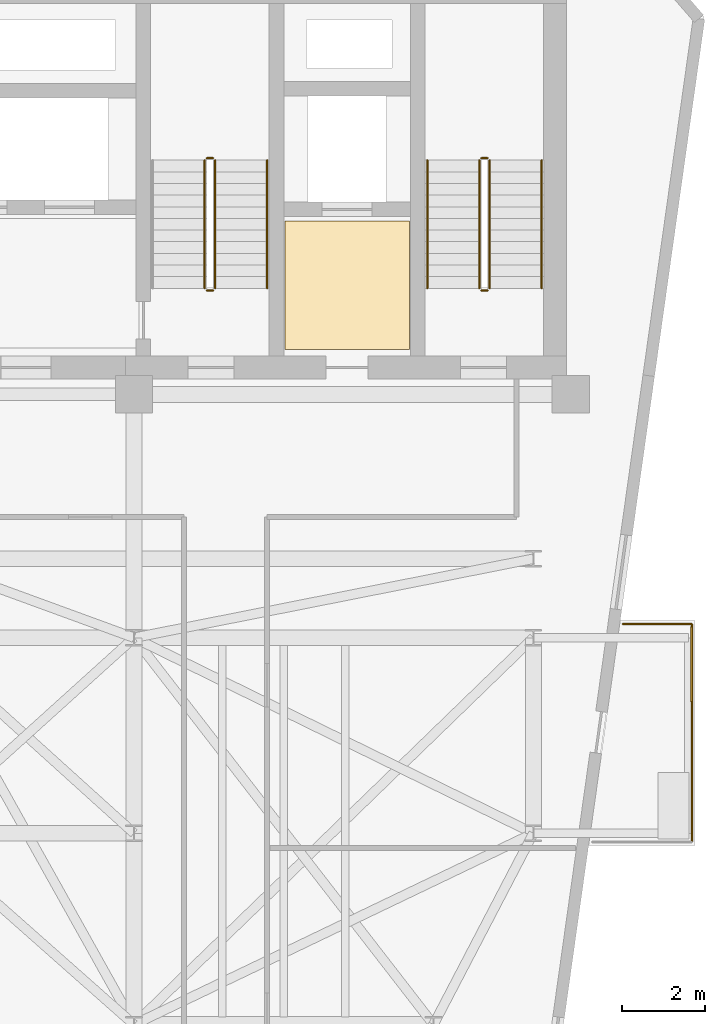
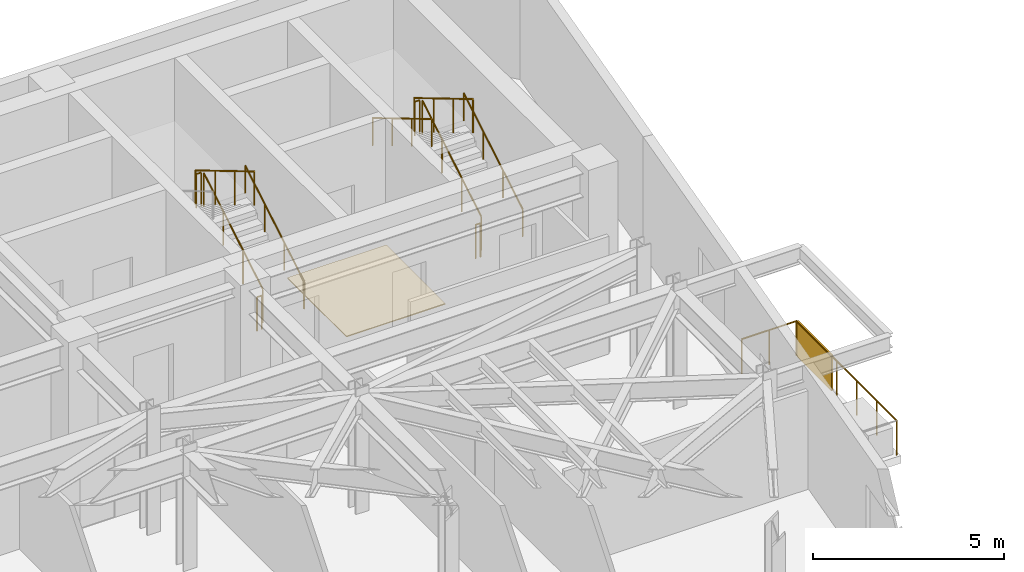
# One storey, part 27 of 27: 13 railings, 1 covering, 1 shading device.
"""IFC4 building model written with IfcOpenShell, lengths in metres."""

from ifc_helpers import new_model, si_unit, direction, frame, origin, origin_2d, place, context, subcontext, project, spatial, polyline, rectangle, circle, outline, extrude, material, layer, layer_set, type_object, element, save


model = new_model("IFC4")

# Units and contexts
model_context = context("Model", 3, precision=1e-05, world=origin(), true_north=direction((0.0, 1.0)))
body_context = subcontext(model_context, "Body", "Model", "MODEL_VIEW")
ifc_project = project(units=[si_unit("LENGTHUNIT", "METRE"), si_unit("AREAUNIT", "SQUARE_METRE"), si_unit("VOLUMEUNIT", "CUBIC_METRE"), si_unit("PLANEANGLEUNIT", "RADIAN"), si_unit("MASSUNIT", "GRAM", prefix="KILO")], contexts=[model_context])

# Site, building, storey
site_placement = place(None, origin())
site = spatial("IfcSite", under=ifc_project, at=site_placement, CompositionType="ELEMENT")
building_placement = place(site_placement, origin())
building = spatial("IfcBuilding", under=site, at=building_placement, Name="Kravanh Interchange Tower", CompositionType="ELEMENT")
storey_placement = place(building_placement, frame((0.0, 0.0, 196.5)))
storey = spatial("IfcBuildingStorey", under=building, at=storey_placement, Name="L47", CompositionType="ELEMENT", Elevation=196.5)

# Covering
ifc_material_1 = material(Name="Cementitious Terrazzo Tile")
ifc_layer_1 = layer(ifc_material_1, 0.030029296875)
ifc_layer_set_1 = layer_set([ifc_layer_1], Name="Honed Terrazzo Lobby Flooring 30mm")
covering_type = type_object("IfcCoveringType", Name="Honed Terrazzo Lobby Flooring 30mm", PredefinedType="FLOORING", material=ifc_layer_set_1)
covering_placement = place(storey_placement, origin())
element("IfcCovering", 1, at=covering_placement, inside=storey, type_object=covering_type, Name="L47 Service Lift Lobby Floor Finish", PredefinedType="FLOORING", context=body_context, shape_type="SweptSolid", body=[
    extrude(outline(polyline([(59.6298828125, 41.52001953125), (62.6201171875, 41.52001953125), (62.6201171875, 38.429931640625), (59.6298828125, 38.429931640625), (59.6298828125, 41.52001953125)])), origin(), (0.0, 0.0, 1.0), 0.030029296875),
])

# Shading device
ifc_material_2 = material(Name="Perforated Anodised Bronze Aluminium", Category="aluminium")
ifc_layer_2 = layer(ifc_material_2, 0.0400390625)
ifc_layer_set_2 = layer_set([ifc_layer_2], Name="Perforated Bronze Balcony Privacy Screen 1150mm")
shading_device_type = type_object("IfcShadingDeviceType", Name="Perforated Bronze Balcony Privacy Screen 1150mm", PredefinedType="USERDEFINED", material=ifc_layer_set_2)
shading_device_placement = place(storey_placement, frame((69.409912109375, 30.860107421875, 0.0), z_axis=(0.0, 0.0, 1.0), x_axis=(1.0, 0.0, 0.0)))
element("IfcShadingDevice", 2, at=shading_device_placement, inside=storey, type_object=shading_device_type, Name="L47 E Perforated Bronze BALCONY SCREEN", ObjectType="SCREEN", PredefinedType="USERDEFINED", context=body_context, shape_type="SweptSolid", body=[
    extrude(rectangle(XDim=0.0400390625, YDim=1.800048828125, at=origin_2d()), origin(), (0.0, 0.0, 1.0), 1.14990234375),
])

# Railings
ifc_material_3 = material(Name="Stainless Steel 316", Category="steel")
ifc_layer_3 = layer(ifc_material_3, 0.06005859375)
ifc_layer_set_3 = layer_set([ifc_layer_3], Name="Perimeter Balcony and Terrace Guardrail Stainless 316 1120mm")
railing_type_1 = type_object("IfcRailingType", Name="Perimeter Balcony and Terrace Guardrail Stainless 316 1120mm", PredefinedType="GUARDRAIL", material=ifc_layer_set_3)
railing_1_placement = place(storey_placement, frame((69.409912109375, 31.830078125, 0.0)))
element("IfcRailing", 3, at=railing_1_placement, inside=storey, type_object=railing_type_1, Name="L47 E Balcony Guardrail 1", PredefinedType="GUARDRAIL", context=body_context, shape_type="SweptSolid", body=[
    extrude(circle(Radius=0.02392578125, at=origin_2d()), frame((0.0, 0.0, 1.09619140625), z_axis=(0.0, -1.0, 0.0), x_axis=(1.0, 0.0, 0.0)), (0.0, 0.0, 1.0), 5.239990234375),
    extrude(circle(Radius=0.02099609375, at=origin_2d()), origin(), (0.0, 0.0, 1.0), 1.072021484375),
    extrude(circle(Radius=0.02099609375, at=origin_2d()), frame((0.0, -1.048095703125, 0.0)), (0.0, 0.0, 1.0), 1.072021484375),
    extrude(circle(Radius=0.02099609375, at=origin_2d()), frame((0.0, -2.095947265625, 0.0)), (0.0, 0.0, 1.0), 1.072021484375),
    extrude(circle(Radius=0.02099609375, at=origin_2d()), frame((0.0, -3.14404296875, 0.0)), (0.0, 0.0, 1.0), 1.072021484375),
    extrude(circle(Radius=0.02099609375, at=origin_2d()), frame((0.0, -4.19189453125, 0.0)), (0.0, 0.0, 1.0), 1.072021484375),
    extrude(circle(Radius=0.02099609375, at=origin_2d()), frame((0.0, -5.239990234375, 0.0)), (0.0, 0.0, 1.0), 1.072021484375),
])
railing_2_placement = place(storey_placement, frame((67.753173828125, 31.830078125, 0.0)))
element("IfcRailing", 4, at=railing_2_placement, inside=storey, type_object=railing_type_1, Name="L47 E Balcony Guardrail 3", PredefinedType="GUARDRAIL", context=body_context, shape_type="SweptSolid", body=[
    extrude(circle(Radius=0.02392578125, at=origin_2d()), frame((0.0, 0.0, 1.09619140625), z_axis=(1.0, 0.0, 0.0), x_axis=(0.0, 1.0, 0.0)), (0.0, 0.0, 1.0), 1.65673828125),
    extrude(circle(Radius=0.02099609375, at=origin_2d()), origin(), (0.0, 0.0, 1.0), 1.072021484375),
    extrude(circle(Radius=0.02099609375, at=origin_2d()), frame((0.828369140625, 0.0, 0.0)), (0.0, 0.0, 1.0), 1.072021484375),
    extrude(circle(Radius=0.02099609375, at=origin_2d()), frame((1.65673828125, 0.0, 0.0)), (0.0, 0.0, 1.0), 1.072021484375),
])
ifc_material_4 = material(Name="Structural Steel S355", Category="steel")
ifc_layer_4 = layer(ifc_material_4, 0.050048828125)
ifc_layer_set_4 = layer_set([ifc_layer_4], Name="Stair Well Guardrail Structural Steel S355 1100mm")
railing_type_2 = type_object("IfcRailingType", Name="Stair Well Guardrail Structural Steel S355 1100mm", PredefinedType="GUARDRAIL", material=ifc_layer_set_4)
railing_3_placement = place(storey_placement, frame((64.550048828125, 39.89990234375, 0.166748046875)))
element("IfcRailing", 5, at=railing_3_placement, inside=storey, type_object=railing_type_2, Name="L47 ST1 stair guard 1", PredefinedType="GUARDRAIL", context=body_context, shape_type="SweptSolid", body=[
    extrude(circle(Radius=0.02392578125, at=origin_2d()), frame((0.0, 0.0, 1.076171875), z_axis=(0.0, 0.859308565015, 0.511457515432), x_axis=(-1.0, 0.0, 0.0)), (0.0, 0.0, 1.0), 3.58447265625),
    extrude(circle(Radius=0.02099609375, at=origin_2d()), origin(), (0.0, 0.0, 1.0), 1.052001953125),
    extrude(circle(Radius=0.02099609375, at=origin_2d()), frame((0.0, 1.026611328125, 0.611083984375)), (0.0, 0.0, 1.0), 1.052001953125),
    extrude(circle(Radius=0.02099609375, at=origin_2d()), frame((0.0, 2.053466796875, 1.22216796875)), (0.0, 0.0, 1.0), 1.052001953125),
    extrude(circle(Radius=0.02099609375, at=origin_2d()), frame((0.0, 3.080078125, 1.833251953125)), (0.0, 0.0, 1.0), 1.052001953125),
])
railing_4_placement = place(storey_placement, frame((64.5, 43.030029296875, 2.0)))
element("IfcRailing", 6, at=railing_4_placement, inside=storey, type_object=railing_type_2, Name="L47 ST1 stair guard 2", PredefinedType="GUARDRAIL", context=body_context, shape_type="SweptSolid", body=[
    extrude(circle(Radius=0.02392578125, at=origin_2d()), frame((0.0, 0.0, 1.076171875), z_axis=(-1.0, 0.0, 0.0), x_axis=(0.0, -1.0, 0.0)), (0.0, 0.0, 1.0), 0.14990234375),
    extrude(circle(Radius=0.02099609375, at=origin_2d()), origin(), (0.0, 0.0, 1.0), 1.052001953125),
    extrude(circle(Radius=0.02099609375, at=origin_2d()), frame((-0.14990234375, 0.0, 0.0)), (0.0, 0.0, 1.0), 1.052001953125),
])
railing_5_placement = place(storey_placement, frame((64.300048828125, 42.97998046875, 2.166748046875)))
element("IfcRailing", 7, at=railing_5_placement, inside=storey, type_object=railing_type_2, Name="L47 ST1 stair guard 3", PredefinedType="GUARDRAIL", context=body_context, shape_type="SweptSolid", body=[
    extrude(circle(Radius=0.02392578125, at=origin_2d()), frame((0.0, 0.0, 1.076171875), z_axis=(0.0, -0.859308565015, 0.511457515432), x_axis=(1.0, 0.0, 0.0)), (0.0, 0.0, 1.0), 3.58447265625),
    extrude(circle(Radius=0.02099609375, at=origin_2d()), origin(), (0.0, 0.0, 1.0), 1.052001953125),
    extrude(circle(Radius=0.02099609375, at=origin_2d()), frame((0.0, -1.026611328125, 0.611083984375)), (0.0, 0.0, 1.0), 1.052001953125),
    extrude(circle(Radius=0.02099609375, at=origin_2d()), frame((0.0, -2.053466796875, 1.22216796875)), (0.0, 0.0, 1.0), 1.052001953125),
    extrude(circle(Radius=0.02099609375, at=origin_2d()), frame((0.0, -3.080078125, 1.833251953125)), (0.0, 0.0, 1.0), 1.052001953125),
])
railing_6_placement = place(storey_placement, frame((64.5, 39.85009765625, 0.0)))
element("IfcRailing", 8, at=railing_6_placement, inside=storey, type_object=railing_type_2, Name="L47 ST1 stair guard 4", PredefinedType="GUARDRAIL", context=body_context, shape_type="SweptSolid", body=[
    extrude(circle(Radius=0.02392578125, at=origin_2d()), frame((0.0, 0.0, 1.076171875), z_axis=(-1.0, 0.0, 0.0), x_axis=(0.0, -1.0, 0.0)), (0.0, 0.0, 1.0), 0.14990234375),
    extrude(circle(Radius=0.02099609375, at=origin_2d()), origin(), (0.0, 0.0, 1.0), 1.052001953125),
    extrude(circle(Radius=0.02099609375, at=origin_2d()), frame((-0.14990234375, 0.0, 0.0)), (0.0, 0.0, 1.0), 1.052001953125),
])
railing_7_placement = place(storey_placement, frame((57.949951171875, 39.89990234375, 0.166748046875)))
element("IfcRailing", 9, at=railing_7_placement, inside=storey, type_object=railing_type_2, Name="L47 ST2 stair guard 1", PredefinedType="GUARDRAIL", context=body_context, shape_type="SweptSolid", body=[
    extrude(circle(Radius=0.02392578125, at=origin_2d()), frame((0.0, 0.0, 1.076171875), z_axis=(0.0, 0.859308565015, 0.511457515432), x_axis=(-1.0, 0.0, 0.0)), (0.0, 0.0, 1.0), 3.58447265625),
    extrude(circle(Radius=0.02099609375, at=origin_2d()), origin(), (0.0, 0.0, 1.0), 1.052001953125),
    extrude(circle(Radius=0.02099609375, at=origin_2d()), frame((0.0, 1.026611328125, 0.611083984375)), (0.0, 0.0, 1.0), 1.052001953125),
    extrude(circle(Radius=0.02099609375, at=origin_2d()), frame((0.0, 2.053466796875, 1.22216796875)), (0.0, 0.0, 1.0), 1.052001953125),
    extrude(circle(Radius=0.02099609375, at=origin_2d()), frame((0.0, 3.080078125, 1.833251953125)), (0.0, 0.0, 1.0), 1.052001953125),
])
railing_8_placement = place(storey_placement, frame((57.89990234375, 43.030029296875, 2.0)))
element("IfcRailing", 10, at=railing_8_placement, inside=storey, type_object=railing_type_2, Name="L47 ST2 stair guard 2", PredefinedType="GUARDRAIL", context=body_context, shape_type="SweptSolid", body=[
    extrude(circle(Radius=0.02392578125, at=origin_2d()), frame((0.0, 0.0, 1.076171875), z_axis=(-1.0, 0.0, 0.0), x_axis=(0.0, -1.0, 0.0)), (0.0, 0.0, 1.0), 0.14990234375),
    extrude(circle(Radius=0.02099609375, at=origin_2d()), origin(), (0.0, 0.0, 1.0), 1.052001953125),
    extrude(circle(Radius=0.02099609375, at=origin_2d()), frame((-0.14990234375, 0.0, 0.0)), (0.0, 0.0, 1.0), 1.052001953125),
])
railing_9_placement = place(storey_placement, frame((57.699951171875, 42.97998046875, 2.166748046875)))
element("IfcRailing", 11, at=railing_9_placement, inside=storey, type_object=railing_type_2, Name="L47 ST2 stair guard 3", PredefinedType="GUARDRAIL", context=body_context, shape_type="SweptSolid", body=[
    extrude(circle(Radius=0.02392578125, at=origin_2d()), frame((0.0, 0.0, 1.076171875), z_axis=(0.0, -0.859308565015, 0.511457515432), x_axis=(1.0, 0.0, 0.0)), (0.0, 0.0, 1.0), 3.58447265625),
    extrude(circle(Radius=0.02099609375, at=origin_2d()), origin(), (0.0, 0.0, 1.0), 1.052001953125),
    extrude(circle(Radius=0.02099609375, at=origin_2d()), frame((0.0, -1.026611328125, 0.611083984375)), (0.0, 0.0, 1.0), 1.052001953125),
    extrude(circle(Radius=0.02099609375, at=origin_2d()), frame((0.0, -2.053466796875, 1.22216796875)), (0.0, 0.0, 1.0), 1.052001953125),
    extrude(circle(Radius=0.02099609375, at=origin_2d()), frame((0.0, -3.080078125, 1.833251953125)), (0.0, 0.0, 1.0), 1.052001953125),
])
railing_10_placement = place(storey_placement, frame((57.89990234375, 39.85009765625, 0.0)))
element("IfcRailing", 12, at=railing_10_placement, inside=storey, type_object=railing_type_2, Name="L47 ST2 stair guard 4", PredefinedType="GUARDRAIL", context=body_context, shape_type="SweptSolid", body=[
    extrude(circle(Radius=0.02392578125, at=origin_2d()), frame((0.0, 0.0, 1.076171875), z_axis=(-1.0, 0.0, 0.0), x_axis=(0.0, -1.0, 0.0)), (0.0, 0.0, 1.0), 0.14990234375),
    extrude(circle(Radius=0.02099609375, at=origin_2d()), origin(), (0.0, 0.0, 1.0), 1.052001953125),
    extrude(circle(Radius=0.02099609375, at=origin_2d()), frame((-0.14990234375, 0.0, 0.0)), (0.0, 0.0, 1.0), 1.052001953125),
])
ifc_material_5 = material(Name="Stainless Steel 304", Category="steel")
ifc_layer_5 = layer(ifc_material_5, 0.044921875)
ifc_layer_set_5 = layer_set([ifc_layer_5], Name="Tubular Stair Handrail Stainless 304 900mm")
railing_type_3 = type_object("IfcRailingType", Name="Tubular Stair Handrail Stainless 304 900mm", PredefinedType="HANDRAIL", material=ifc_layer_set_5)
railing_11_placement = place(storey_placement, frame((65.800048828125, 39.89990234375, 0.166748046875)))
element("IfcRailing", 13, at=railing_11_placement, inside=storey, type_object=railing_type_3, Name="L47 ST1 stair handrail 1", PredefinedType="HANDRAIL", context=body_context, shape_type="SweptSolid", body=[
    extrude(circle(Radius=0.02392578125, at=origin_2d()), frame((0.0, 0.0, 0.8759765625), z_axis=(0.0, 0.859308565015, 0.511457515432), x_axis=(-1.0, 0.0, 0.0)), (0.0, 0.0, 1.0), 3.58447265625),
    extrude(circle(Radius=0.02099609375, at=origin_2d()), origin(), (0.0, 0.0, 1.0), 0.851806640625),
    extrude(circle(Radius=0.02099609375, at=origin_2d()), frame((0.0, 1.026611328125, 0.611083984375)), (0.0, 0.0, 1.0), 0.851806640625),
    extrude(circle(Radius=0.02099609375, at=origin_2d()), frame((0.0, 2.053466796875, 1.22216796875)), (0.0, 0.0, 1.0), 0.851806640625),
    extrude(circle(Radius=0.02099609375, at=origin_2d()), frame((0.0, 3.080078125, 1.833251953125)), (0.0, 0.0, 1.0), 0.851806640625),
])
railing_12_placement = place(storey_placement, frame((63.050048828125, 42.97998046875, 2.166748046875)))
element("IfcRailing", 14, at=railing_12_placement, inside=storey, type_object=railing_type_3, Name="L47 ST1 stair handrail 2", PredefinedType="HANDRAIL", context=body_context, shape_type="SweptSolid", body=[
    extrude(circle(Radius=0.02392578125, at=origin_2d()), frame((0.0, 0.0, 0.8759765625), z_axis=(0.0, -0.859308565015, 0.511457515432), x_axis=(1.0, 0.0, 0.0)), (0.0, 0.0, 1.0), 3.58447265625),
    extrude(circle(Radius=0.02099609375, at=origin_2d()), origin(), (0.0, 0.0, 1.0), 0.851806640625),
    extrude(circle(Radius=0.02099609375, at=origin_2d()), frame((0.0, -1.026611328125, 0.611083984375)), (0.0, 0.0, 1.0), 0.851806640625),
    extrude(circle(Radius=0.02099609375, at=origin_2d()), frame((0.0, -2.053466796875, 1.22216796875)), (0.0, 0.0, 1.0), 0.851806640625),
    extrude(circle(Radius=0.02099609375, at=origin_2d()), frame((0.0, -3.080078125, 1.833251953125)), (0.0, 0.0, 1.0), 0.851806640625),
])
railing_13_placement = place(storey_placement, frame((59.199951171875, 39.89990234375, 0.166748046875)))
element("IfcRailing", 15, at=railing_13_placement, inside=storey, type_object=railing_type_3, Name="L47 ST2 stair handrail 1", PredefinedType="HANDRAIL", context=body_context, shape_type="SweptSolid", body=[
    extrude(circle(Radius=0.02392578125, at=origin_2d()), frame((0.0, 0.0, 0.8759765625), z_axis=(0.0, 0.859308565015, 0.511457515432), x_axis=(-1.0, 0.0, 0.0)), (0.0, 0.0, 1.0), 3.58447265625),
    extrude(circle(Radius=0.02099609375, at=origin_2d()), origin(), (0.0, 0.0, 1.0), 0.851806640625),
    extrude(circle(Radius=0.02099609375, at=origin_2d()), frame((0.0, 1.026611328125, 0.611083984375)), (0.0, 0.0, 1.0), 0.851806640625),
    extrude(circle(Radius=0.02099609375, at=origin_2d()), frame((0.0, 2.053466796875, 1.22216796875)), (0.0, 0.0, 1.0), 0.851806640625),
    extrude(circle(Radius=0.02099609375, at=origin_2d()), frame((0.0, 3.080078125, 1.833251953125)), (0.0, 0.0, 1.0), 0.851806640625),
])

save(model, "model.ifc")
